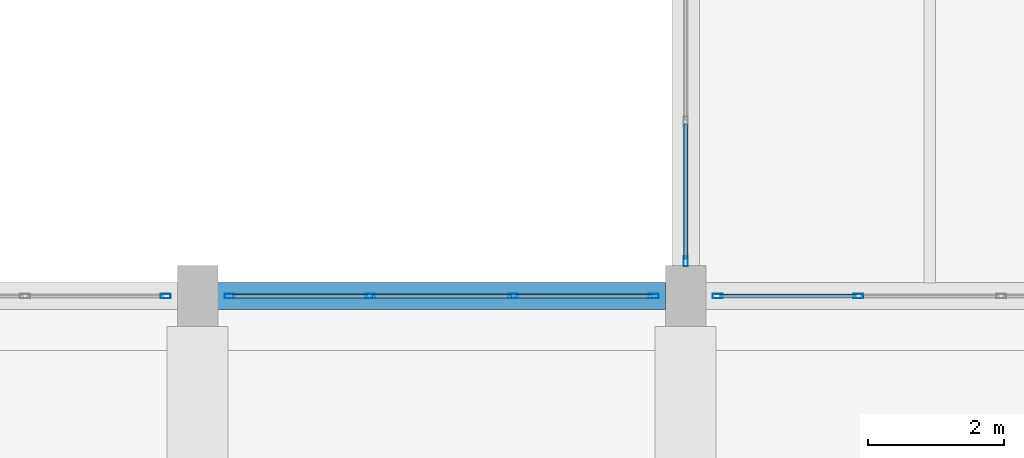
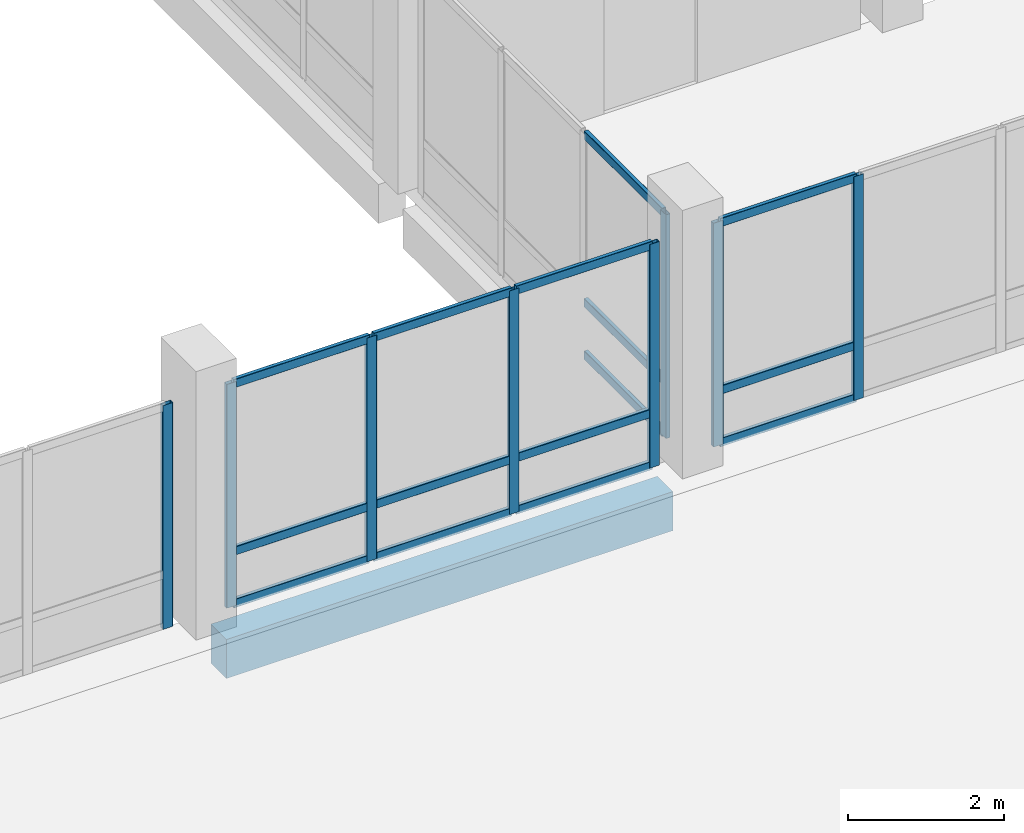
# One storey, part 87 of 158: 23 members, 1 beam, 4 elements without a shape of their own.
"""IFC4 building model written with IfcOpenShell, lengths in metres."""

from ifc_helpers import new_model, si_unit, direction, frame, origin, origin_2d, place, context, subcontext, project, spatial, rectangle, hollow_rectangle, extrude, material, material_profile, profile_set, type_object, element, aggregate, save


model = new_model("IFC4")

# Units and contexts
model_context = context("Model", 3, precision=1e-05, world=origin(), true_north=direction((0.0, 1.0)))
body_context = subcontext(model_context, "Body", "Model", "MODEL_VIEW")
ifc_project = project(units=[si_unit("LENGTHUNIT", "METRE"), si_unit("AREAUNIT", "SQUARE_METRE"), si_unit("VOLUMEUNIT", "CUBIC_METRE"), si_unit("PLANEANGLEUNIT", "RADIAN"), si_unit("MASSUNIT", "GRAM", prefix="KILO")], contexts=[model_context])

# Site, building, storey
site_placement = place(None, origin())
site = spatial("IfcSite", under=ifc_project, at=site_placement, CompositionType="ELEMENT")
building_placement = place(site_placement, origin())
building = spatial("IfcBuilding", under=site, at=building_placement, Name="Lusvemor Sports Hall", CompositionType="ELEMENT")
storey_placement = place(building_placement, frame((0.0, 0.0, 10.800048828125)))
storey = spatial("IfcBuildingStorey", under=building, at=storey_placement, Name="L02", CompositionType="ELEMENT", Elevation=10.800048828125)

# Curtain wall, member
ifc_material_1 = material(Name="Thermally broken bronze-anodized aluminium", Category="aluminium")
curtain_wall_type_1 = type_object("IfcCurtainWallType", Name="CW_COURT_C", PredefinedType="NOTDEFINED", material=ifc_material_1)
curtain_wall_1_placement = place(storey_placement, origin())
curtain_wall_1 = element("IfcCurtainWall", 1, at=curtain_wall_1_placement, inside=storey, type_object=curtain_wall_type_1, Name="Curtain Wall CW-V2N-L02-0", PredefinedType="NOTDEFINED")
ifc_material_2 = material(Name="Thermally broken bronze-anodized aluminium", Category="aluminium")
ifc_material_profile_1 = material_profile(ifc_material_2, hollow_rectangle(XDim=0.06494140625, YDim=0.14990234375, WallThickness=0.00390625, InnerFilletRadius=0.00390625, OuterFilletRadius=0.008056640625, at=origin_2d()), Name="CWMUL150x65x4")
ifc_profile_set_1 = profile_set([ifc_material_profile_1], Name="Thermally broken bronze-anodized aluminium")
member_type_1 = type_object("IfcMemberType", Name="CW_MUL_B", PredefinedType="MULLION", material=ifc_profile_set_1)
member_1_placement = place(storey_placement, frame((125.527587890625, 39.60009765625, 0.0), z_axis=(0.0, 0.0, 1.0), x_axis=(0.0, 1.0, 0.0)))
member_1 = element("IfcMember", 2, at=member_1_placement, type_object=member_type_1, Name="CW03 mullion 4", PredefinedType="MULLION", context=body_context, shape_type="SweptSolid", body=[
    extrude(hollow_rectangle(XDim=0.06494140625, YDim=0.14990234375, WallThickness=0.00390625, InnerFilletRadius=0.00390625, OuterFilletRadius=0.008056640625, at=origin_2d()), origin(), (0.0, 0.0, 1.0), 3.5),
])
aggregate(curtain_wall_1, [member_1])

# Curtain wall, members
curtain_wall_2_placement = place(storey_placement, origin())
curtain_wall_2 = element("IfcCurtainWall", 3, at=curtain_wall_2_placement, inside=storey, type_object=curtain_wall_type_1, Name="Curtain Wall CW-V2N-L02-1", PredefinedType="NOTDEFINED")
member_2_placement = place(storey_placement, frame((126.472412109375, 39.60009765625, 0.0), z_axis=(0.0, 0.0, 1.0), x_axis=(0.0, 1.0, 0.0)))
member_2 = element("IfcMember", 4, at=member_2_placement, type_object=member_type_1, Name="CW03 mullion 1", PredefinedType="MULLION", context=body_context, shape_type="SweptSolid", body=[
    extrude(hollow_rectangle(XDim=0.06494140625, YDim=0.14990234375, WallThickness=0.00390625, InnerFilletRadius=0.00390625, OuterFilletRadius=0.008056640625, at=origin_2d()), origin(), (0.0, 0.0, 1.0), 3.5),
])
member_3_placement = place(storey_placement, frame((128.546630859375, 39.60009765625, 0.0), z_axis=(0.0, 0.0, 1.0), x_axis=(0.0, 1.0, 0.0)))
member_3 = element("IfcMember", 5, at=member_3_placement, type_object=member_type_1, Name="CW03 mullion 2", PredefinedType="MULLION", context=body_context, shape_type="SweptSolid", body=[
    extrude(hollow_rectangle(XDim=0.06494140625, YDim=0.14990234375, WallThickness=0.00390625, InnerFilletRadius=0.00390625, OuterFilletRadius=0.008056640625, at=origin_2d()), origin(), (0.0, 0.0, 1.0), 3.5),
])
member_4_placement = place(storey_placement, frame((130.6533203125, 39.60009765625, 0.0), z_axis=(0.0, 0.0, 1.0), x_axis=(0.0, 1.0, 0.0)))
member_4 = element("IfcMember", 6, at=member_4_placement, type_object=member_type_1, Name="CW03 mullion 3", PredefinedType="MULLION", context=body_context, shape_type="SweptSolid", body=[
    extrude(hollow_rectangle(XDim=0.06494140625, YDim=0.14990234375, WallThickness=0.00390625, InnerFilletRadius=0.00390625, OuterFilletRadius=0.008056640625, at=origin_2d()), origin(), (0.0, 0.0, 1.0), 3.5),
])
member_5_placement = place(storey_placement, frame((132.7275390625, 39.60009765625, 0.0), z_axis=(0.0, 0.0, 1.0), x_axis=(0.0, 1.0, 0.0)))
member_5 = element("IfcMember", 7, at=member_5_placement, type_object=member_type_1, Name="CW03 mullion 4", PredefinedType="MULLION", context=body_context, shape_type="SweptSolid", body=[
    extrude(hollow_rectangle(XDim=0.06494140625, YDim=0.14990234375, WallThickness=0.00390625, InnerFilletRadius=0.00390625, OuterFilletRadius=0.008056640625, at=origin_2d()), origin(), (0.0, 0.0, 1.0), 3.5),
])

curtain_wall_3_placement = place(storey_placement, origin())
curtain_wall_3 = element("IfcCurtainWall", 8, at=curtain_wall_3_placement, inside=storey, type_object=curtain_wall_type_1, Name="Curtain Wall CW-V2N-L02-2", PredefinedType="NOTDEFINED")
member_6_placement = place(storey_placement, frame((133.672607421875, 39.60009765625, 0.0), z_axis=(0.0, 0.0, 1.0), x_axis=(0.0, 1.0, 0.0)))
member_6 = element("IfcMember", 9, at=member_6_placement, type_object=member_type_1, Name="CW03 mullion 1", PredefinedType="MULLION", context=body_context, shape_type="SweptSolid", body=[
    extrude(hollow_rectangle(XDim=0.06494140625, YDim=0.14990234375, WallThickness=0.00390625, InnerFilletRadius=0.00390625, OuterFilletRadius=0.008056640625, at=origin_2d()), origin(), (0.0, 0.0, 1.0), 3.5),
])
member_7_placement = place(storey_placement, frame((135.74658203125, 39.60009765625, 0.0), z_axis=(0.0, 0.0, 1.0), x_axis=(0.0, 1.0, 0.0)))
member_7 = element("IfcMember", 10, at=member_7_placement, type_object=member_type_1, Name="CW03 mullion 2", PredefinedType="MULLION", context=body_context, shape_type="SweptSolid", body=[
    extrude(hollow_rectangle(XDim=0.06494140625, YDim=0.14990234375, WallThickness=0.00390625, InnerFilletRadius=0.00390625, OuterFilletRadius=0.008056640625, at=origin_2d()), origin(), (0.0, 0.0, 1.0), 3.5),
])

# Curtain wall, member
ifc_material_3 = material(Name="Thermally broken bronze-anodized aluminium", Category="aluminium")
curtain_wall_type_2 = type_object("IfcCurtainWallType", Name="CW_PASSAGE_E", PredefinedType="NOTDEFINED", material=ifc_material_3)
curtain_wall_4_placement = place(storey_placement, origin())
curtain_wall_4 = element("IfcCurtainWall", 11, at=curtain_wall_4_placement, inside=storey, type_object=curtain_wall_type_2, Name="Curtain Wall CW-ELINK-133-L02", PredefinedType="NOTDEFINED")
member_8_placement = place(storey_placement, frame((133.199951171875, 40.112548828125, 0.0), z_axis=(0.0, 0.0, 1.0), x_axis=(-1.0, 0.0, 0.0)))
member_8 = element("IfcMember", 12, at=member_8_placement, type_object=member_type_1, Name="CW05 mullion 1", PredefinedType="MULLION", context=body_context, shape_type="SweptSolid", body=[
    extrude(hollow_rectangle(XDim=0.06494140625, YDim=0.14990234375, WallThickness=0.00390625, InnerFilletRadius=0.00390625, OuterFilletRadius=0.008056640625, at=origin_2d()), origin(), (0.0, 0.0, 1.0), 3.5),
])

# Member
ifc_material_4 = material(Name="Thermally broken bronze-anodized aluminium", Category="aluminium")
ifc_material_profile_2 = material_profile(ifc_material_4, hollow_rectangle(XDim=0.06005859375, YDim=0.135009765625, WallThickness=0.00390625, InnerFilletRadius=0.00390625, OuterFilletRadius=0.008056640625, at=origin_2d()), Name="CWTRN135x60x4")
ifc_profile_set_2 = profile_set([ifc_material_profile_2], Name="Thermally broken bronze-anodized aluminium")
member_type_2 = type_object("IfcMemberType", Name="CW_TRN_B", PredefinedType="USERDEFINED", material=ifc_profile_set_2)
member_9_placement = place(storey_placement, frame((126.5048828125, 39.60009765625, 0.030029296875), z_axis=(1.0, 0.0, 0.0), x_axis=(0.0, 1.0, 0.0)))
member_9 = element("IfcMember", 13, at=member_9_placement, type_object=member_type_2, Name="CW03 transom 1.1", ObjectType="TRANSOM", PredefinedType="USERDEFINED", context=body_context, shape_type="SweptSolid", body=[
    extrude(hollow_rectangle(XDim=0.06005859375, YDim=0.135009765625, WallThickness=0.00390625, InnerFilletRadius=0.00390625, OuterFilletRadius=0.008056640625, at=origin_2d()), origin(), (0.0, 0.0, 1.0), 2.00927734375),
])

member_10_placement = place(storey_placement, frame((126.5048828125, 39.60009765625, 0.849853515625), z_axis=(1.0, 0.0, 0.0), x_axis=(0.0, 1.0, 0.0)))
member_10 = element("IfcMember", 14, at=member_10_placement, type_object=member_type_2, Name="CW03 transom 1.2", ObjectType="TRANSOM", PredefinedType="USERDEFINED", context=body_context, shape_type="SweptSolid", body=[
    extrude(hollow_rectangle(XDim=0.06005859375, YDim=0.135009765625, WallThickness=0.00390625, InnerFilletRadius=0.00390625, OuterFilletRadius=0.008056640625, at=origin_2d()), origin(), (0.0, 0.0, 1.0), 2.00927734375),
])

member_11_placement = place(storey_placement, frame((126.5048828125, 39.60009765625, 3.469970703125), z_axis=(1.0, 0.0, 0.0), x_axis=(0.0, 1.0, 0.0)))
member_11 = element("IfcMember", 15, at=member_11_placement, type_object=member_type_2, Name="CW03 transom 1.3", ObjectType="TRANSOM", PredefinedType="USERDEFINED", context=body_context, shape_type="SweptSolid", body=[
    extrude(hollow_rectangle(XDim=0.06005859375, YDim=0.135009765625, WallThickness=0.00390625, InnerFilletRadius=0.00390625, OuterFilletRadius=0.008056640625, at=origin_2d()), origin(), (0.0, 0.0, 1.0), 2.00927734375),
])

member_12_placement = place(storey_placement, frame((128.5791015625, 39.60009765625, 0.030029296875), z_axis=(1.0, 0.0, 0.0), x_axis=(0.0, 1.0, 0.0)))
member_12 = element("IfcMember", 16, at=member_12_placement, type_object=member_type_2, Name="CW03 transom 2.1", ObjectType="TRANSOM", PredefinedType="USERDEFINED", context=body_context, shape_type="SweptSolid", body=[
    extrude(hollow_rectangle(XDim=0.06005859375, YDim=0.135009765625, WallThickness=0.00390625, InnerFilletRadius=0.00390625, OuterFilletRadius=0.008056640625, at=origin_2d()), origin(), (0.0, 0.0, 1.0), 2.041748046875),
])

member_13_placement = place(storey_placement, frame((128.5791015625, 39.60009765625, 0.849853515625), z_axis=(1.0, 0.0, 0.0), x_axis=(0.0, 1.0, 0.0)))
member_13 = element("IfcMember", 17, at=member_13_placement, type_object=member_type_2, Name="CW03 transom 2.2", ObjectType="TRANSOM", PredefinedType="USERDEFINED", context=body_context, shape_type="SweptSolid", body=[
    extrude(hollow_rectangle(XDim=0.06005859375, YDim=0.135009765625, WallThickness=0.00390625, InnerFilletRadius=0.00390625, OuterFilletRadius=0.008056640625, at=origin_2d()), origin(), (0.0, 0.0, 1.0), 2.041748046875),
])

member_14_placement = place(storey_placement, frame((128.5791015625, 39.60009765625, 3.469970703125), z_axis=(1.0, 0.0, 0.0), x_axis=(0.0, 1.0, 0.0)))
member_14 = element("IfcMember", 18, at=member_14_placement, type_object=member_type_2, Name="CW03 transom 2.3", ObjectType="TRANSOM", PredefinedType="USERDEFINED", context=body_context, shape_type="SweptSolid", body=[
    extrude(hollow_rectangle(XDim=0.06005859375, YDim=0.135009765625, WallThickness=0.00390625, InnerFilletRadius=0.00390625, OuterFilletRadius=0.008056640625, at=origin_2d()), origin(), (0.0, 0.0, 1.0), 2.041748046875),
])

member_15_placement = place(storey_placement, frame((130.685791015625, 39.60009765625, 0.030029296875), z_axis=(1.0, 0.0, 0.0), x_axis=(0.0, 1.0, 0.0)))
member_15 = element("IfcMember", 19, at=member_15_placement, type_object=member_type_2, Name="CW03 transom 3.1", ObjectType="TRANSOM", PredefinedType="USERDEFINED", context=body_context, shape_type="SweptSolid", body=[
    extrude(hollow_rectangle(XDim=0.06005859375, YDim=0.135009765625, WallThickness=0.00390625, InnerFilletRadius=0.00390625, OuterFilletRadius=0.008056640625, at=origin_2d()), origin(), (0.0, 0.0, 1.0), 2.00927734375),
])

member_16_placement = place(storey_placement, frame((130.685791015625, 39.60009765625, 0.849853515625), z_axis=(1.0, 0.0, 0.0), x_axis=(0.0, 1.0, 0.0)))
member_16 = element("IfcMember", 20, at=member_16_placement, type_object=member_type_2, Name="CW03 transom 3.2", ObjectType="TRANSOM", PredefinedType="USERDEFINED", context=body_context, shape_type="SweptSolid", body=[
    extrude(hollow_rectangle(XDim=0.06005859375, YDim=0.135009765625, WallThickness=0.00390625, InnerFilletRadius=0.00390625, OuterFilletRadius=0.008056640625, at=origin_2d()), origin(), (0.0, 0.0, 1.0), 2.00927734375),
])

member_17_placement = place(storey_placement, frame((130.685791015625, 39.60009765625, 3.469970703125), z_axis=(1.0, 0.0, 0.0), x_axis=(0.0, 1.0, 0.0)))
member_17 = element("IfcMember", 21, at=member_17_placement, type_object=member_type_2, Name="CW03 transom 3.3", ObjectType="TRANSOM", PredefinedType="USERDEFINED", context=body_context, shape_type="SweptSolid", body=[
    extrude(hollow_rectangle(XDim=0.06005859375, YDim=0.135009765625, WallThickness=0.00390625, InnerFilletRadius=0.00390625, OuterFilletRadius=0.008056640625, at=origin_2d()), origin(), (0.0, 0.0, 1.0), 2.00927734375),
])

aggregate(curtain_wall_2, [member_2, member_3, member_4, member_5, member_9, member_10, member_11, member_12, member_13, member_14, member_15, member_16, member_17])

member_18_placement = place(storey_placement, frame((133.705078125, 39.60009765625, 0.030029296875), z_axis=(1.0, 0.0, 0.0), x_axis=(0.0, 1.0, 0.0)))
member_18 = element("IfcMember", 22, at=member_18_placement, type_object=member_type_2, Name="CW03 transom 1.1", ObjectType="TRANSOM", PredefinedType="USERDEFINED", context=body_context, shape_type="SweptSolid", body=[
    extrude(hollow_rectangle(XDim=0.06005859375, YDim=0.135009765625, WallThickness=0.00390625, InnerFilletRadius=0.00390625, OuterFilletRadius=0.008056640625, at=origin_2d()), origin(), (0.0, 0.0, 1.0), 2.009033203125),
])

member_19_placement = place(storey_placement, frame((133.705078125, 39.60009765625, 0.849853515625), z_axis=(1.0, 0.0, 0.0), x_axis=(0.0, 1.0, 0.0)))
member_19 = element("IfcMember", 23, at=member_19_placement, type_object=member_type_2, Name="CW03 transom 1.2", ObjectType="TRANSOM", PredefinedType="USERDEFINED", context=body_context, shape_type="SweptSolid", body=[
    extrude(hollow_rectangle(XDim=0.06005859375, YDim=0.135009765625, WallThickness=0.00390625, InnerFilletRadius=0.00390625, OuterFilletRadius=0.008056640625, at=origin_2d()), origin(), (0.0, 0.0, 1.0), 2.009033203125),
])

member_20_placement = place(storey_placement, frame((133.705078125, 39.60009765625, 3.469970703125), z_axis=(1.0, 0.0, 0.0), x_axis=(0.0, 1.0, 0.0)))
member_20 = element("IfcMember", 24, at=member_20_placement, type_object=member_type_2, Name="CW03 transom 1.3", ObjectType="TRANSOM", PredefinedType="USERDEFINED", context=body_context, shape_type="SweptSolid", body=[
    extrude(hollow_rectangle(XDim=0.06005859375, YDim=0.135009765625, WallThickness=0.00390625, InnerFilletRadius=0.00390625, OuterFilletRadius=0.008056640625, at=origin_2d()), origin(), (0.0, 0.0, 1.0), 2.009033203125),
])

aggregate(curtain_wall_3, [member_6, member_7, member_18, member_19, member_20])

member_21_placement = place(storey_placement, frame((133.199951171875, 40.14501953125, 0.030029296875), z_axis=(0.0, 1.0, 0.0), x_axis=(-1.0, 0.0, 0.0)))
member_21 = element("IfcMember", 25, at=member_21_placement, type_object=member_type_2, Name="CW05 transom 1.1", ObjectType="TRANSOM", PredefinedType="USERDEFINED", context=body_context, shape_type="SweptSolid", body=[
    extrude(hollow_rectangle(XDim=0.06005859375, YDim=0.135009765625, WallThickness=0.00390625, InnerFilletRadius=0.00390625, OuterFilletRadius=0.008056640625, at=origin_2d()), origin(), (0.0, 0.0, 1.0), 1.995849609375),
])

member_22_placement = place(storey_placement, frame((133.199951171875, 40.14501953125, 0.849853515625), z_axis=(0.0, 1.0, 0.0), x_axis=(-1.0, 0.0, 0.0)))
member_22 = element("IfcMember", 26, at=member_22_placement, type_object=member_type_2, Name="CW05 transom 1.2", ObjectType="TRANSOM", PredefinedType="USERDEFINED", context=body_context, shape_type="SweptSolid", body=[
    extrude(hollow_rectangle(XDim=0.06005859375, YDim=0.135009765625, WallThickness=0.00390625, InnerFilletRadius=0.00390625, OuterFilletRadius=0.008056640625, at=origin_2d()), origin(), (0.0, 0.0, 1.0), 1.995849609375),
])

member_23_placement = place(storey_placement, frame((133.199951171875, 40.14501953125, 3.469970703125), z_axis=(0.0, 1.0, 0.0), x_axis=(-1.0, 0.0, 0.0)))
member_23 = element("IfcMember", 27, at=member_23_placement, type_object=member_type_2, Name="CW05 transom 1.3", ObjectType="TRANSOM", PredefinedType="USERDEFINED", context=body_context, shape_type="SweptSolid", body=[
    extrude(hollow_rectangle(XDim=0.06005859375, YDim=0.135009765625, WallThickness=0.00390625, InnerFilletRadius=0.00390625, OuterFilletRadius=0.008056640625, at=origin_2d()), origin(), (0.0, 0.0, 1.0), 1.995849609375),
])

aggregate(curtain_wall_4, [member_8, member_21, member_22, member_23])

# Beam
ifc_material_5 = material(Name="Concrete C40/50", Category="concrete")
ifc_material_profile_3 = material_profile(ifc_material_5, rectangle(XDim=0.39990234375, YDim=0.610107421875, at=origin_2d()), Name="RC400x610")
ifc_profile_set_3 = profile_set([ifc_material_profile_3], Name="Concrete C40/50")
beam_type = type_object("IfcBeamType", Name="SPAND_EXT_650", PredefinedType="SPANDREL", material=ifc_profile_set_3)
beam_placement = place(storey_placement, frame((126.2958984375, 39.60009765625, -0.655029296875), z_axis=(1.0, 0.0, 0.0), x_axis=(0.0, 1.0, 0.0)))
element("IfcBeam", 28, at=beam_placement, inside=storey, type_object=beam_type, Name="Beam L02 E:14-15", PredefinedType="SPANDREL", context=body_context, shape_type="SweptSolid", body=[
    extrude(rectangle(XDim=0.39990234375, YDim=0.610107421875, at=origin_2d()), origin(), (0.0, 0.0, 1.0), 6.608154296875),
])

save(model, "model.ifc")
